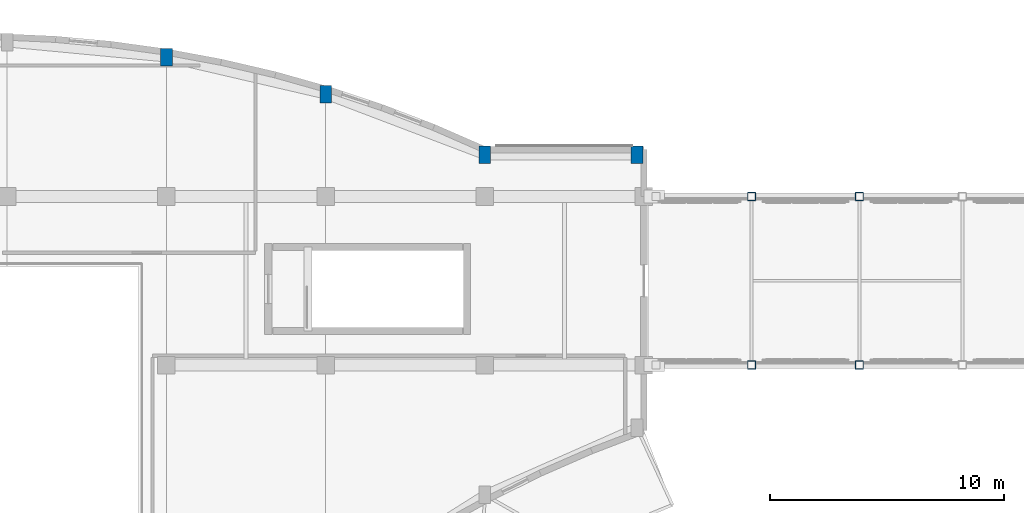
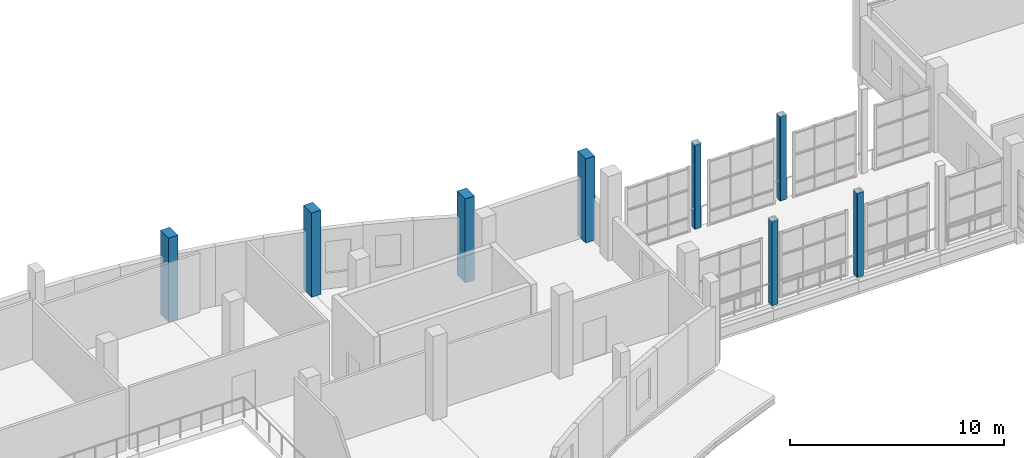
# One storey, part 6 of 106: 8 columns.
"""IFC4 building model written with IfcOpenShell, lengths in metres."""

from ifc_helpers import new_model, si_unit, direction, frame, origin, origin_2d, place, context, subcontext, project, spatial, rectangle, hollow_rectangle, extrude, material, material_profile, profile_set, type_object, element, save


model = new_model("IFC4")

# Units and contexts
model_context = context("Model", 3, precision=1e-05, world=origin(), true_north=direction((0.0, 1.0)))
body_context = subcontext(model_context, "Body", "Model", "MODEL_VIEW")
ifc_project = project(units=[si_unit("LENGTHUNIT", "METRE"), si_unit("AREAUNIT", "SQUARE_METRE"), si_unit("VOLUMEUNIT", "CUBIC_METRE"), si_unit("PLANEANGLEUNIT", "RADIAN"), si_unit("MASSUNIT", "GRAM", prefix="KILO")], contexts=[model_context])

# Site, building, storey
site_placement = place(None, origin())
site = spatial("IfcSite", under=ifc_project, at=site_placement, CompositionType="ELEMENT")
building_placement = place(site_placement, origin())
building = spatial("IfcBuilding", under=site, at=building_placement, Name="Kisaragi Civic Commons", CompositionType="ELEMENT")
storey_placement = place(building_placement, frame((0.0, 0.0, 4.800048828125)))
storey = spatial("IfcBuildingStorey", under=building, at=storey_placement, Name="L01", CompositionType="ELEMENT", Elevation=4.800048828125)

# Columns
ifc_material_1 = material(Name="Concrete Fc30", Category="concrete")
ifc_material_profile_1 = material_profile(ifc_material_1, rectangle(XDim=0.5, YDim=0.75, at=origin_2d()), Name="RC-500x750", Category="concrete")
ifc_profile_set_1 = profile_set([ifc_material_profile_1], Name="Concrete Fc30")
column_type_1 = type_object("IfcColumnType", Name="C-10", PredefinedType="COLUMN", material=ifc_profile_set_1)
for number, where, z_axis, x_axis, name in (
    (1, (34.0, 117.5458984375, 0.0), (0.0, 0.0, 1.0), (1.0, 0.0, 0.0), "L01 column C-10 (34.0,117.5)"),
    (2, (40.800048828125, 115.964111328125, 0.0), (0.0, 0.0, 1.0), (1.0, 0.0, 0.0), "L01 column C-10 (40.8,116.0)"),
    (3, (47.60009765625, 113.3798828125, 0.0), (0.0, 0.0, 1.0), (1.0, 0.0, 0.0), "L01 column C-10 (47.6,113.4)"),
    (4, (54.10009765625, 113.3798828125, 0.0), (0.0, 0.0, 1.0), (1.0, 0.0, 0.0), "L01 column C-10 (54.1,113.4)"),
):
    element("IfcColumn", number, at=place(storey_placement, frame(where, z_axis=z_axis, x_axis=x_axis)), inside=storey, type_object=column_type_1, Name=name, PredefinedType="COLUMN", context=body_context, shape_type="SweptSolid", body=[
        extrude(rectangle(XDim=0.5, YDim=0.75, at=origin_2d()), origin(), (0.0, 0.0, 1.0), 4.800048828125),
    ])
ifc_material_2 = material(Name="Steel BCR295", Category="steel")
ifc_material_profile_2 = material_profile(ifc_material_2, hollow_rectangle(XDim=0.35009765625, YDim=0.35009765625, WallThickness=0.011962890625, InnerFilletRadius=0.011962890625, OuterFilletRadius=0.02392578125, at=origin_2d()), Name="BCR-350x350x12", Category="steel")
ifc_profile_set_2 = profile_set([ifc_material_profile_2], Name="Steel BCR295")
column_type_2 = type_object("IfcColumnType", Name="C-13", PredefinedType="COLUMN", material=ifc_profile_set_2)
for number, where, z_axis, x_axis, name in (
    (5, (59.0, 104.39990234375, 0.0), (0.0, 0.0, 1.0), (1.0, 0.0, 0.0), "L01 column C-13 (59.0,104.4)"),
    (6, (59.0, 111.60009765625, 0.0), (0.0, 0.0, 1.0), (1.0, 0.0, 0.0), "L01 column C-13 (59.0,111.6)"),
    (7, (63.60009765625, 104.39990234375, 0.0), (0.0, 0.0, 1.0), (1.0, 0.0, 0.0), "L01 column C-13 (63.6,104.4)"),
    (8, (63.60009765625, 111.60009765625, 0.0), (0.0, 0.0, 1.0), (1.0, 0.0, 0.0), "L01 column C-13 (63.6,111.6)"),
):
    element("IfcColumn", number, at=place(storey_placement, frame(where, z_axis=z_axis, x_axis=x_axis)), inside=storey, type_object=column_type_2, Name=name, PredefinedType="COLUMN", context=body_context, shape_type="SweptSolid", body=[
        extrude(hollow_rectangle(XDim=0.35009765625, YDim=0.35009765625, WallThickness=0.011962890625, InnerFilletRadius=0.011962890625, OuterFilletRadius=0.02392578125, at=origin_2d()), origin(), (0.0, 0.0, 1.0), 4.800048828125),
    ])

save(model, "model.ifc")
